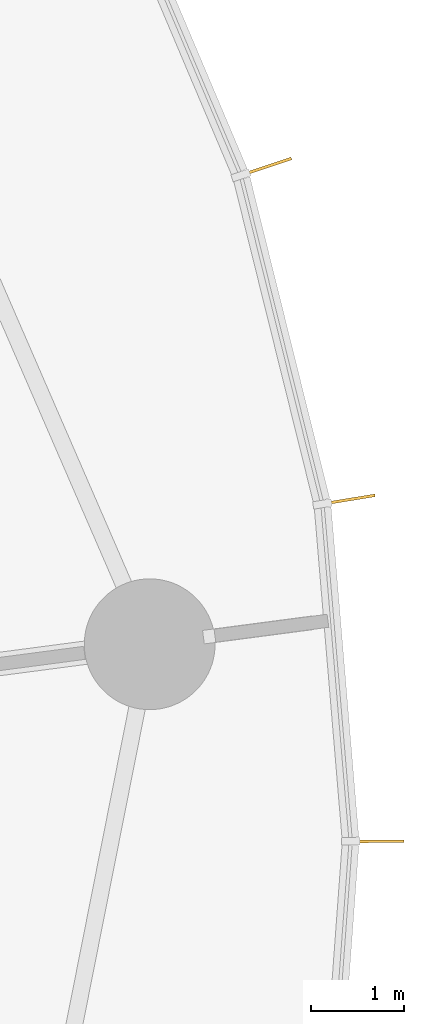
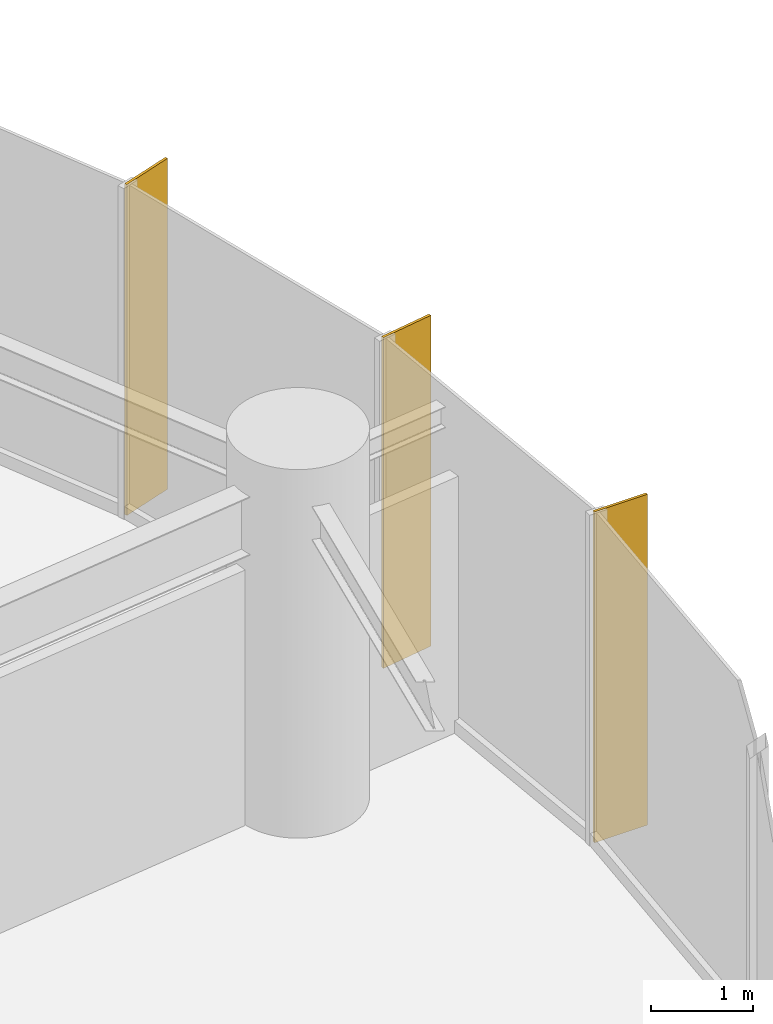
# One storey, part 19 of 19: 3 shading devices.
"""IFC4 building model written with IfcOpenShell, lengths in metres."""

from ifc_helpers import new_model, si_unit, direction, frame, origin, origin_2d, place, context, subcontext, project, spatial, rectangle, extrude, source, transform, mapped, material, material_profile, profile_set, type_object, element, save


model = new_model("IFC4")

# Units and contexts
model_context = context("Model", 3, precision=1e-05, world=origin(), true_north=direction((0.0, 1.0)))
body_context = subcontext(model_context, "Body", "Model", "MODEL_VIEW")
ifc_project = project(units=[si_unit("LENGTHUNIT", "METRE"), si_unit("AREAUNIT", "SQUARE_METRE"), si_unit("VOLUMEUNIT", "CUBIC_METRE"), si_unit("PLANEANGLEUNIT", "RADIAN"), si_unit("MASSUNIT", "GRAM", prefix="KILO")], contexts=[model_context])

# Site, building, storey
site_placement = place(None, origin())
site = spatial("IfcSite", under=ifc_project, at=site_placement, CompositionType="ELEMENT")
building_placement = place(site_placement, origin())
building = spatial("IfcBuilding", under=site, at=building_placement, Name="Spindrift Exchange Tower", CompositionType="ELEMENT")
storey_placement = place(building_placement, frame((0.0, 0.0, 53.39990234375)))
storey = spatial("IfcBuildingStorey", under=building, at=storey_placement, Name="L12", CompositionType="ELEMENT", Elevation=53.39990234375)

# Shading devices
ifc_material = material(Name="Bronze anodised aluminium", Category="aluminium")
ifc_material_profile = material_profile(ifc_material, rectangle(XDim=0.030029296875, YDim=0.60009765625, at=origin_2d()), Name="WIND FIN 30X600")
ifc_profile_set = profile_set([ifc_material_profile], Name="Bronze anodised aluminium")
shading_device_type = type_object("IfcShadingDeviceType", Name="WIND FIN 30X600", PredefinedType="USERDEFINED", material=ifc_profile_set)
shared_shape = source(origin(), body_context, "Body", "SweptSolid", [
    extrude(rectangle(XDim=0.030029296875, YDim=0.60009765625, at=origin_2d()), origin(), (0.0, 0.0, 1.0), 3.9501953125),
])
for number, where, z_axis, x_axis, name in (
    (1, (90.10546875, 54.283203125, 0.0), (0.0, 0.0, 1.0), (-0.162695716031, 0.986676291387, 0.0), "L12 wind fin 2"),
    (2, (89.222412109375, 57.842529296875, 0.0), (0.0, 0.0, 1.0), (-0.316170661051, 0.948702331129, 0.0), "L12 wind fin 3"),
    (3, (90.412109375, 50.629150390625, 0.0), (0.0, 0.0, 1.0), (-0.005148698545, 0.999986745364, 0.0), "L12 wind fin 4"),
):
    element("IfcShadingDevice", number, at=place(storey_placement, frame(where, z_axis=z_axis, x_axis=x_axis)), inside=storey, type_object=shading_device_type, Name=name, ObjectType="FIN", PredefinedType="USERDEFINED", context=body_context, shape_type="MappedRepresentation", body=[
        mapped(shared_shape, transform((0.0, 0.0, 0.0), scale=1.0)),
    ])

save(model, "model.ifc")
